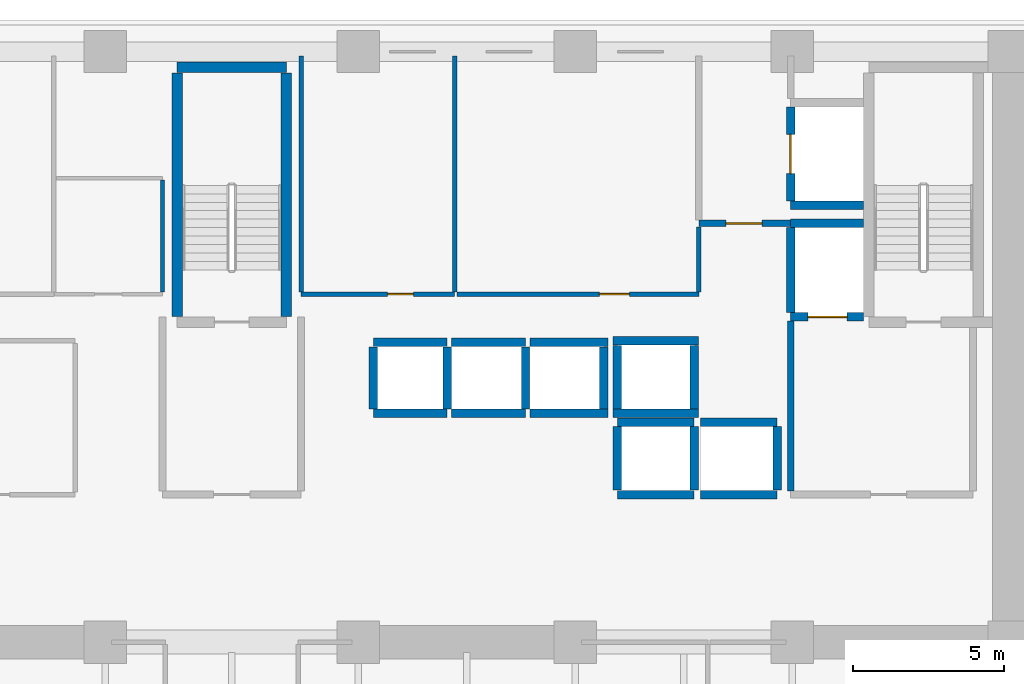
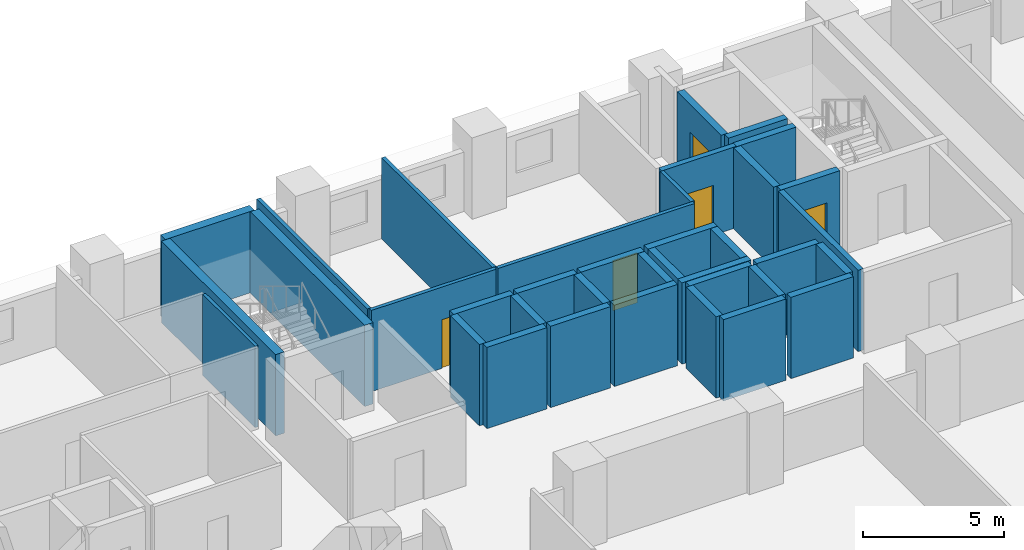
# One storey, part 8 of 15: 37 walls, 5 doors, 5 openings.
"""IFC4 building model written with IfcOpenShell, lengths in metres."""

from ifc_helpers import new_model, si_unit, direction, frame, frame_2d, origin, place, context, subcontext, project, spatial, rectangle, extrude, material, layer, layer_set, type_object, element, fill, save


model = new_model("IFC4")

# Units and contexts
model_context = context("Model", 3, precision=1e-05, world=origin(), true_north=direction((0.0, 1.0)))
body_context = subcontext(model_context, "Body", "Model", "MODEL_VIEW")
ifc_project = project(units=[si_unit("LENGTHUNIT", "METRE"), si_unit("AREAUNIT", "SQUARE_METRE"), si_unit("VOLUMEUNIT", "CUBIC_METRE"), si_unit("PLANEANGLEUNIT", "RADIAN"), si_unit("MASSUNIT", "GRAM", prefix="KILO")], contexts=[model_context])

# Site, building, storey
site_placement = place(None, origin())
site = spatial("IfcSite", under=ifc_project, at=site_placement, CompositionType="ELEMENT")
building_placement = place(site_placement, origin())
building = spatial("IfcBuilding", under=site, at=building_placement, Name="Kaelvorn Grand Hotel", CompositionType="ELEMENT")
storey_placement = place(building_placement, frame((0.0, 0.0, 53.89990234375)))
storey = spatial("IfcBuildingStorey", under=building, at=storey_placement, Name="L11", CompositionType="ELEMENT", Elevation=53.89990234375)

# Wall
ifc_material_1 = material(Name="Moisture-Resistant Tile & Stud Board")
ifc_layer_1 = layer(ifc_material_1, 0.125)
ifc_layer_set_1 = layer_set([ifc_layer_1], Name="Moisture-Resistant Tile & Stud Board")
wall_type_1 = type_object("IfcWallType", Name="WL-PART-125-WET", PredefinedType="PARTITIONING", material=ifc_layer_set_1)
wall_1_placement = place(storey_placement, frame((39.699951171875, 41.017578125, 0.0), z_axis=(0.0, 0.0, 1.0), x_axis=(0.0, 1.0, 0.0)))
element("IfcWall", 1, at=wall_1_placement, inside=storey, type_object=wall_type_1, Name="L11 Accessible WC E Partition", PredefinedType="PARTITIONING", context=body_context, shape_type="SweptSolid", body=[
    extrude(rectangle(XDim=3.71484375, YDim=0.125, at=frame_2d((1.857421875, 0.0))), origin(), (0.0, 0.0, 1.0), 3.510009765625),
])

# Wall, opening, door
ifc_material_2 = material(Name="Acoustic Gypsum & Stud Partition")
ifc_layer_2 = layer(ifc_material_2, 0.14990234375)
ifc_layer_set_2 = layer_set([ifc_layer_2], Name="Acoustic Gypsum & Stud Partition")
wall_type_2 = type_object("IfcWallType", Name="WL-PART-150-EI60", PredefinedType="PARTITIONING", material=ifc_layer_set_2)
wall_2_placement = place(storey_placement, frame((44.300048828125, 40.949951171875, 0.0), z_axis=(0.0, 0.0, 1.0), x_axis=(1.0, 0.0, 0.0)))
wall_2 = element("IfcWall", 2, at=wall_2_placement, inside=storey, type_object=wall_type_2, Name="L11 Laundry Chute Vestibule S Partition", PredefinedType="PARTITIONING", context=body_context, shape_type="SweptSolid", body=[
    extrude(rectangle(XDim=5.099853515625, YDim=0.14990234375, at=frame_2d((2.5498046875, 0.0))), origin(), (0.0, 0.0, 1.0), 3.510009765625),
])
opening_1_placement = place(wall_2_placement, frame((2.875, 0.0, 0.0)))
opening_1 = element("IfcOpeningElement", 3, at=opening_1_placement, cuts=wall_2, Name="Opening DI7", PredefinedType="OPENING", context=body_context, shape_type="SweptSolid", body=[
    extrude(rectangle(XDim=0.85009765625, YDim=2.10009765625, at=frame_2d((0.425048828125, 1.050048828125))), frame((0.0, 0.0849609375, 0.0), z_axis=(0.0, -1.0, 0.0), x_axis=(1.0, 0.0, 0.0)), (0.0, 0.0, 1.0), 0.169921875),
])
ifc_material_3 = material(Name="Powder-Coated Steel Leaf", Category="steel")
door_type_1 = type_object("IfcDoorType", Name="DR-INT-RISER-850x2100", OperationType="NOTDEFINED", PredefinedType="DOOR", material=ifc_material_3)
door_1_placement = place(opening_1_placement, origin())
door_1 = element("IfcDoor", 4, at=door_1_placement, inside=storey, type_object=door_type_1, Name="L11 Laundry Chute Vestibule Door", OperationType="SINGLE_SWING_LEFT", OverallHeight=2.10009765625, OverallWidth=0.85009765625, PredefinedType="DOOR", context=body_context, shape_type="SweptSolid", body=[
    extrude(rectangle(XDim=0.85009765625, YDim=2.10009765625, at=frame_2d((0.425048828125, 1.050048828125))), frame((0.0, 0.02490234375, 0.0), z_axis=(0.0, -1.0, 0.0), x_axis=(1.0, 0.0, 0.0)), (0.0, 0.0, 1.0), 0.050048828125),
])
fill(opening_1, door_1)

# Walls
for number, where, z_axis, x_axis, name in (
    (5, (44.300048828125, 41.030029296875, 0.0), (0.0, 0.0, 1.0), (0.0, 1.0, 0.0), "L11 Laundry Chute Vestibule W Partition"),
    (6, (49.39990234375, 41.030029296875, 0.0), (0.0, 0.0, 1.0), (0.0, 1.0, 0.0), "L11 Laundry Chute Vestibule E Partition"),
):
    element("IfcWall", number, at=place(storey_placement, frame(where, z_axis=z_axis, x_axis=x_axis)), inside=storey, type_object=wall_type_2, Name=name, PredefinedType="PARTITIONING", context=body_context, shape_type="SweptSolid", body=[
        extrude(rectangle(XDim=7.820068359375, YDim=0.14990234375, at=frame_2d((3.91015625, 0.0))), origin(), (0.0, 0.0, 1.0), 3.510009765625),
    ])

# Wall, opening, door
wall_3_placement = place(storey_placement, frame((49.47998046875, 40.949951171875, 0.0), z_axis=(0.0, 0.0, 1.0), x_axis=(1.0, 0.0, 0.0)))
wall_3 = element("IfcWall", 7, at=wall_3_placement, inside=storey, type_object=wall_type_2, Name="L11 Butler Servery Pantry S Partition", PredefinedType="PARTITIONING", context=body_context, shape_type="SweptSolid", body=[
    extrude(rectangle(XDim=8.02001953125, YDim=0.14990234375, at=frame_2d((4.010009765625, 0.0))), origin(), (0.0, 0.0, 1.0), 3.510009765625),
])
opening_2_placement = place(wall_3_placement, frame((4.719970703125, 0.0, 0.0)))
opening_2 = element("IfcOpeningElement", 8, at=opening_2_placement, cuts=wall_3, Name="Opening DI3", PredefinedType="OPENING", context=body_context, shape_type="SweptSolid", body=[
    extrude(rectangle(XDim=1.0, YDim=2.14990234375, at=frame_2d((0.5, 1.074951171875))), frame((0.0, 0.0849609375, 0.0), z_axis=(0.0, -1.0, 0.0), x_axis=(1.0, 0.0, 0.0)), (0.0, 0.0, 1.0), 0.169921875),
])
ifc_material_4 = material(Name="Timber Veneer Fire Leaf", Category="wood")
door_type_2 = type_object("IfcDoorType", Name="DR-INT-GUEST-1000x2150", OperationType="NOTDEFINED", PredefinedType="DOOR", material=ifc_material_4)
door_2_placement = place(opening_2_placement, origin())
door_2 = element("IfcDoor", 9, at=door_2_placement, inside=storey, type_object=door_type_2, Name="L11 Butler Servery Pantry Door", OperationType="SINGLE_SWING_RIGHT", OverallHeight=2.14990234375, OverallWidth=1.0, PredefinedType="DOOR", context=body_context, shape_type="SweptSolid", body=[
    extrude(rectangle(XDim=1.0, YDim=2.14990234375, at=frame_2d((0.5, 1.074951171875))), frame((0.0, 0.02490234375, 0.0), z_axis=(0.0, -1.0, 0.0), x_axis=(1.0, 0.0, 0.0)), (0.0, 0.0, 1.0), 0.050048828125),
])
fill(opening_2, door_2)

# Walls
wall_4_placement = place(storey_placement, frame((57.5, 41.030029296875, 0.0), z_axis=(0.0, 0.0, 1.0), x_axis=(0.0, 1.0, 0.0)))
element("IfcWall", 10, at=wall_4_placement, inside=storey, type_object=wall_type_2, Name="L11 Butler Servery Pantry E Partition", PredefinedType="PARTITIONING", context=body_context, shape_type="SweptSolid", body=[
    extrude(rectangle(XDim=2.155029296875, YDim=0.14990234375, at=frame_2d((1.07763671875, 0.0))), origin(), (0.0, 0.0, 1.0), 3.510009765625),
])
ifc_material_5 = material(Name="Concrete C40/50", Category="concrete")
ifc_layer_3 = layer(ifc_material_5, 0.219970703125)
ifc_layer_set_3 = layer_set([ifc_layer_3], Name="Concrete C40/50")
wall_type_3 = type_object("IfcWallType", Name="WL-PART-220-EI120", PredefinedType="PARTITIONING", material=ifc_layer_set_3)
wall_5_placement = place(storey_placement, frame((60.550048828125, 34.4150390625, 0.0), z_axis=(0.0, 0.0, 1.0), x_axis=(0.0, 1.0, 0.0)))
element("IfcWall", 11, at=wall_5_placement, inside=storey, type_object=wall_type_3, Name="L11 Firefighting Lift Lobby 2 W Partition", PredefinedType="PARTITIONING", context=body_context, shape_type="SweptSolid", body=[
    extrude(rectangle(XDim=5.639892578125, YDim=0.219970703125, at=frame_2d((2.81982421875, 0.0))), origin(), (0.0, 0.0, 1.0), 3.510009765625),
])

# Wall, opening, door
wall_6_placement = place(storey_placement, frame((57.5, 43.300048828125, 0.0), z_axis=(0.0, 0.0, 1.0), x_axis=(1.0, 0.0, 0.0)))
wall_6 = element("IfcWall", 12, at=wall_6_placement, inside=storey, type_object=wall_type_3, Name="L11 Service Lift Lobby S Partition", PredefinedType="PARTITIONING", context=body_context, shape_type="SweptSolid", body=[
    extrude(rectangle(XDim=3.0400390625, YDim=0.219970703125, at=frame_2d((1.52001953125, 0.0))), origin(), (0.0, 0.0, 1.0), 3.510009765625),
])
opening_3_placement = place(wall_6_placement, frame((0.89990234375, 0.0, 0.0)))
opening_3 = element("IfcOpeningElement", 13, at=opening_3_placement, cuts=wall_6, Name="Opening DI2", PredefinedType="OPENING", context=body_context, shape_type="SweptSolid", body=[
    extrude(rectangle(XDim=1.199951171875, YDim=2.14990234375, at=frame_2d((0.60009765625, 1.074951171875))), frame((0.0, 0.1201171875, 0.0), z_axis=(0.0, -1.0, 0.0), x_axis=(1.0, 0.0, 0.0)), (0.0, 0.0, 1.0), 0.239990234375),
])
door_type_3 = type_object("IfcDoorType", Name="DR-INT-FFLOB-1200x2150", OperationType="NOTDEFINED", PredefinedType="DOOR", material=ifc_material_4)
door_3_placement = place(opening_3_placement, origin())
door_3 = element("IfcDoor", 14, at=door_3_placement, inside=storey, type_object=door_type_3, Name="L11 Service Lift Lobby Door", OperationType="SINGLE_SWING_RIGHT", OverallHeight=2.14990234375, OverallWidth=1.199951171875, PredefinedType="DOOR", context=body_context, shape_type="SweptSolid", body=[
    extrude(rectangle(XDim=1.199951171875, YDim=2.14990234375, at=frame_2d((0.60009765625, 1.074951171875))), frame((0.0, 0.02490234375, 0.0), z_axis=(0.0, -1.0, 0.0), x_axis=(1.0, 0.0, 0.0)), (0.0, 0.0, 1.0), 0.050048828125),
])
fill(opening_3, door_3)

# Walls
ifc_material_6 = material(Name="Concrete C50/60", Category="concrete")
ifc_layer_4 = layer(ifc_material_6, 0.280029296875)
ifc_layer_set_4 = layer_set([ifc_layer_4], Name="Concrete C50/60")
wall_type_4 = type_object("IfcWallType", Name="WL-SHAFT-280-C50", PredefinedType="SHEAR", material=ifc_layer_set_4)
for number, where, z_axis, x_axis, name in (
    (15, (46.699951171875, 37.0, 0.0), (0.0, 0.0, 1.0), (1.0, 0.0, 0.0), "L11 Lift SL-1 Shaft South Wall"),
    (16, (46.699951171875, 39.35009765625, 0.0), (0.0, 0.0, 1.0), (1.0, 0.0, 0.0), "L11 Lift SL-1 Shaft North Wall"),
):
    element("IfcWall", number, at=place(storey_placement, frame(where, z_axis=z_axis, x_axis=x_axis)), inside=storey, type_object=wall_type_4, Name=name, PredefinedType="SHEAR", context=body_context, shape_type="SweptSolid", body=[
        extrude(rectangle(XDim=2.449951171875, YDim=0.280029296875, at=frame_2d((1.22509765625, 0.0))), origin(), (0.0, 0.0, 1.0), 3.510009765625),
    ])
for number, where, z_axis, x_axis, name in (
    (17, (46.699951171875, 37.14501953125, 0.0), (0.0, 0.0, 1.0), (0.0, 1.0, 0.0), "L11 Lift SL-1 Shaft West Wall"),
    (18, (49.14990234375, 37.14501953125, 0.0), (0.0, 0.0, 1.0), (0.0, 1.0, 0.0), "L11 Lift SL-1 Shaft East Wall"),
):
    element("IfcWall", number, at=place(storey_placement, frame(where, z_axis=z_axis, x_axis=x_axis)), inside=storey, type_object=wall_type_4, Name=name, PredefinedType="SHEAR", context=body_context, shape_type="SweptSolid", body=[
        extrude(rectangle(XDim=2.06005859375, YDim=0.280029296875, at=frame_2d((1.030029296875, 0.0))), origin(), (0.0, 0.0, 1.0), 3.510009765625),
    ])
for number, where, z_axis, x_axis, name in (
    (19, (49.300048828125, 37.0, 0.0), (0.0, 0.0, 1.0), (1.0, 0.0, 0.0), "L11 Lift SL-2 Shaft South Wall"),
    (20, (49.300048828125, 39.35009765625, 0.0), (0.0, 0.0, 1.0), (1.0, 0.0, 0.0), "L11 Lift SL-2 Shaft North Wall"),
):
    element("IfcWall", number, at=place(storey_placement, frame(where, z_axis=z_axis, x_axis=x_axis)), inside=storey, type_object=wall_type_4, Name=name, PredefinedType="SHEAR", context=body_context, shape_type="SweptSolid", body=[
        extrude(rectangle(XDim=2.449951171875, YDim=0.280029296875, at=frame_2d((1.22509765625, 0.0))), origin(), (0.0, 0.0, 1.0), 3.510009765625),
    ])
wall_7_placement = place(storey_placement, frame((51.75, 37.14501953125, 0.0), z_axis=(0.0, 0.0, 1.0), x_axis=(0.0, 1.0, 0.0)))
element("IfcWall", 21, at=wall_7_placement, inside=storey, type_object=wall_type_4, Name="L11 Lift SL-2 Shaft East Wall", PredefinedType="SHEAR", context=body_context, shape_type="SweptSolid", body=[
    extrude(rectangle(XDim=2.06005859375, YDim=0.280029296875, at=frame_2d((1.030029296875, 0.0))), origin(), (0.0, 0.0, 1.0), 3.510009765625),
])
for number, where, z_axis, x_axis, name in (
    (22, (51.89990234375, 37.0, 0.0), (0.0, 0.0, 1.0), (1.0, 0.0, 0.0), "L11 Lift SL-3 Shaft South Wall"),
    (23, (51.89990234375, 39.35009765625, 0.0), (0.0, 0.0, 1.0), (1.0, 0.0, 0.0), "L11 Lift SL-3 Shaft North Wall"),
):
    element("IfcWall", number, at=place(storey_placement, frame(where, z_axis=z_axis, x_axis=x_axis)), inside=storey, type_object=wall_type_4, Name=name, PredefinedType="SHEAR", context=body_context, shape_type="SweptSolid", body=[
        extrude(rectangle(XDim=2.590087890625, YDim=0.280029296875, at=frame_2d((1.294921875, 0.0))), origin(), (0.0, 0.0, 1.0), 3.510009765625),
    ])
wall_8_placement = place(storey_placement, frame((54.35009765625, 37.14501953125, 0.0), z_axis=(0.0, 0.0, 1.0), x_axis=(0.0, 1.0, 0.0)))
element("IfcWall", 24, at=wall_8_placement, inside=storey, type_object=wall_type_4, Name="L11 Lift SL-3 Shaft East Wall", PredefinedType="SHEAR", context=body_context, shape_type="SweptSolid", body=[
    extrude(rectangle(XDim=2.06005859375, YDim=0.280029296875, at=frame_2d((1.030029296875, 0.0))), origin(), (0.0, 0.0, 1.0), 3.510009765625),
])
for number, where, z_axis, x_axis, name in (
    (25, (54.800048828125, 34.300048828125, 0.0), (0.0, 0.0, 1.0), (1.0, 0.0, 0.0), "L11 Lift OL-1 Shaft South Wall"),
    (26, (54.800048828125, 36.699951171875, 0.0), (0.0, 0.0, 1.0), (1.0, 0.0, 0.0), "L11 Lift OL-1 Shaft North Wall"),
):
    element("IfcWall", number, at=place(storey_placement, frame(where, z_axis=z_axis, x_axis=x_axis)), inside=storey, type_object=wall_type_4, Name=name, PredefinedType="SHEAR", context=body_context, shape_type="SweptSolid", body=[
        extrude(rectangle(XDim=2.550048828125, YDim=0.280029296875, at=frame_2d((1.27490234375, 0.0))), origin(), (0.0, 0.0, 1.0), 3.510009765625),
    ])
for number, where, z_axis, x_axis, name in (
    (27, (54.800048828125, 34.445068359375, 0.0), (0.0, 0.0, 1.0), (0.0, 1.0, 0.0), "L11 Lift OL-1 Shaft West Wall"),
    (28, (57.35009765625, 34.445068359375, 0.0), (0.0, 0.0, 1.0), (0.0, 1.0, 0.0), "L11 Lift OL-1 Shaft East Wall"),
):
    element("IfcWall", number, at=place(storey_placement, frame(where, z_axis=z_axis, x_axis=x_axis)), inside=storey, type_object=wall_type_4, Name=name, PredefinedType="SHEAR", context=body_context, shape_type="SweptSolid", body=[
        extrude(rectangle(XDim=2.10986328125, YDim=0.280029296875, at=frame_2d((1.054931640625, 0.0))), origin(), (0.0, 0.0, 1.0), 3.510009765625),
    ])
for number, where, z_axis, x_axis, name in (
    (29, (57.550048828125, 34.300048828125, 0.0), (0.0, 0.0, 1.0), (1.0, 0.0, 0.0), "L11 Lift OL-2 Shaft South Wall"),
    (30, (57.550048828125, 36.699951171875, 0.0), (0.0, 0.0, 1.0), (1.0, 0.0, 0.0), "L11 Lift OL-2 Shaft North Wall"),
):
    element("IfcWall", number, at=place(storey_placement, frame(where, z_axis=z_axis, x_axis=x_axis)), inside=storey, type_object=wall_type_4, Name=name, PredefinedType="SHEAR", context=body_context, shape_type="SweptSolid", body=[
        extrude(rectangle(XDim=2.550048828125, YDim=0.280029296875, at=frame_2d((1.27490234375, 0.0))), origin(), (0.0, 0.0, 1.0), 3.510009765625),
    ])
wall_9_placement = place(storey_placement, frame((60.10009765625, 34.445068359375, 0.0), z_axis=(0.0, 0.0, 1.0), x_axis=(0.0, 1.0, 0.0)))
element("IfcWall", 31, at=wall_9_placement, inside=storey, type_object=wall_type_4, Name="L11 Lift OL-2 Shaft East Wall", PredefinedType="SHEAR", context=body_context, shape_type="SweptSolid", body=[
    extrude(rectangle(XDim=2.10986328125, YDim=0.280029296875, at=frame_2d((1.054931640625, 0.0))), origin(), (0.0, 0.0, 1.0), 3.510009765625),
])
for number, where, z_axis, x_axis, name in (
    (32, (54.659912109375, 37.0, 0.0), (0.0, 0.0, 1.0), (1.0, 0.0, 0.0), "L11 Lift OL-3 Shaft South Wall"),
    (33, (54.659912109375, 39.39990234375, 0.0), (0.0, 0.0, 1.0), (1.0, 0.0, 0.0), "L11 Lift OL-3 Shaft North Wall"),
):
    element("IfcWall", number, at=place(storey_placement, frame(where, z_axis=z_axis, x_axis=x_axis)), inside=storey, type_object=wall_type_4, Name=name, PredefinedType="SHEAR", context=body_context, shape_type="SweptSolid", body=[
        extrude(rectangle(XDim=2.830078125, YDim=0.280029296875, at=frame_2d((1.4150390625, 0.0))), origin(), (0.0, 0.0, 1.0), 3.510009765625),
    ])
for number, where, z_axis, x_axis, name in (
    (34, (54.800048828125, 37.14501953125, 0.0), (0.0, 0.0, 1.0), (0.0, 1.0, 0.0), "L11 Lift OL-3 Shaft West Wall"),
    (35, (57.35009765625, 37.14501953125, 0.0), (0.0, 0.0, 1.0), (0.0, 1.0, 0.0), "L11 Lift OL-3 Shaft East Wall"),
):
    element("IfcWall", number, at=place(storey_placement, frame(where, z_axis=z_axis, x_axis=x_axis)), inside=storey, type_object=wall_type_4, Name=name, PredefinedType="SHEAR", context=body_context, shape_type="SweptSolid", body=[
        extrude(rectangle(XDim=2.10986328125, YDim=0.280029296875, at=frame_2d((1.054931640625, 0.0))), origin(), (0.0, 0.0, 1.0), 3.510009765625),
    ])

# Wall, opening, door
wall_10_placement = place(storey_placement, frame((60.550048828125, 40.199951171875, 0.0), z_axis=(0.0, 0.0, 1.0), x_axis=(1.0, 0.0, 0.0)))
wall_10 = element("IfcWall", 36, at=wall_10_placement, inside=storey, type_object=wall_type_4, Name="L11 Lift FFL2 Shaft South Wall", PredefinedType="SHEAR", context=body_context, shape_type="SweptSolid", body=[
    extrude(rectangle(XDim=2.4150390625, YDim=0.280029296875, at=frame_2d((1.20751953125, 0.0))), origin(), (0.0, 0.0, 1.0), 3.510009765625),
])
opening_4_placement = place(wall_10_placement, frame((0.574951171875, 0.0, 0.0)))
opening_4 = element("IfcOpeningElement", 37, at=opening_4_placement, cuts=wall_10, Name="Opening LD-FFL2", PredefinedType="OPENING", context=body_context, shape_type="SweptSolid", body=[
    extrude(rectangle(XDim=1.300048828125, YDim=2.300048828125, at=frame_2d((0.64990234375, 1.14990234375))), frame((0.0, 0.14990234375, 0.0), z_axis=(0.0, -1.0, 0.0), x_axis=(1.0, 0.0, 0.0)), (0.0, 0.0, 1.0), 0.300048828125),
])
ifc_material_7 = material(Name="Stainless Steel", Category="steel")
door_type_4 = type_object("IfcDoorType", Name="DR-LIFT-SERV-1300x2300", OperationType="DOUBLE_DOOR_SLIDING", PredefinedType="DOOR", material=ifc_material_7)
door_4_placement = place(opening_4_placement, origin())
door_4 = element("IfcDoor", 38, at=door_4_placement, inside=storey, type_object=door_type_4, Name="L11 Lift FFL2 Sliding Landing Door LD-FFL2", OperationType="DOUBLE_DOOR_SLIDING", OverallHeight=2.300048828125, OverallWidth=1.300048828125, PredefinedType="DOOR", context=body_context, shape_type="SweptSolid", body=[
    extrude(rectangle(XDim=1.300048828125, YDim=2.300048828125, at=frame_2d((0.64990234375, 1.14990234375))), frame((0.0, 0.02490234375, 0.0), z_axis=(0.0, -1.0, 0.0), x_axis=(1.0, 0.0, 0.0)), (0.0, 0.0, 1.0), 0.050048828125),
])
fill(opening_4, door_4)

# Walls
wall_11_placement = place(storey_placement, frame((60.550048828125, 43.300048828125, 0.0), z_axis=(0.0, 0.0, 1.0), x_axis=(1.0, 0.0, 0.0)))
element("IfcWall", 39, at=wall_11_placement, inside=storey, type_object=wall_type_4, Name="L11 Lift FFL2 Shaft North Wall", PredefinedType="SHEAR", context=body_context, shape_type="SweptSolid", body=[
    extrude(rectangle(XDim=2.4150390625, YDim=0.280029296875, at=frame_2d((1.20751953125, 0.0))), origin(), (0.0, 0.0, 1.0), 3.510009765625),
])
wall_12_placement = place(storey_placement, frame((60.550048828125, 40.344970703125, 0.0), z_axis=(0.0, 0.0, 1.0), x_axis=(0.0, 1.0, 0.0)))
element("IfcWall", 40, at=wall_12_placement, inside=storey, type_object=wall_type_4, Name="L11 Lift FFL2 Shaft West Wall", PredefinedType="SHEAR", context=body_context, shape_type="SweptSolid", body=[
    extrude(rectangle(XDim=2.81005859375, YDim=0.280029296875, at=frame_2d((1.405029296875, 0.0))), origin(), (0.0, 0.0, 1.0), 3.510009765625),
])
wall_13_placement = place(storey_placement, frame((60.550048828125, 43.89990234375, 0.0), z_axis=(0.0, 0.0, 1.0), x_axis=(1.0, 0.0, 0.0)))
element("IfcWall", 41, at=wall_13_placement, inside=storey, type_object=wall_type_4, Name="L11 Lift SV1 Shaft South Wall", PredefinedType="SHEAR", context=body_context, shape_type="SweptSolid", body=[
    extrude(rectangle(XDim=2.4150390625, YDim=0.280029296875, at=frame_2d((1.20751953125, 0.0))), origin(), (0.0, 0.0, 1.0), 3.510009765625),
])

# Wall, opening, door
wall_14_placement = place(storey_placement, frame((60.550048828125, 44.044921875, 0.0), z_axis=(0.0, 0.0, 1.0), x_axis=(0.0, 1.0, 0.0)))
wall_14 = element("IfcWall", 42, at=wall_14_placement, inside=storey, type_object=wall_type_4, Name="L11 Lift SV1 Shaft West Wall", PredefinedType="SHEAR", context=body_context, shape_type="SweptSolid", body=[
    extrude(rectangle(XDim=3.110107421875, YDim=0.280029296875, at=frame_2d((1.55517578125, 0.0))), origin(), (0.0, 0.0, 1.0), 3.510009765625),
])
opening_5_placement = place(wall_14_placement, frame((0.905029296875, 0.0, 0.0)))
opening_5 = element("IfcOpeningElement", 43, at=opening_5_placement, cuts=wall_14, Name="Opening LD-SV1", PredefinedType="OPENING", context=body_context, shape_type="SweptSolid", body=[
    extrude(rectangle(XDim=1.300048828125, YDim=2.300048828125, at=frame_2d((0.64990234375, 1.14990234375))), frame((0.0, 0.14990234375, 0.0), z_axis=(0.0, -1.0, 0.0), x_axis=(1.0, 0.0, 0.0)), (0.0, 0.0, 1.0), 0.300048828125),
])
door_5_placement = place(opening_5_placement, origin())
door_5 = element("IfcDoor", 44, at=door_5_placement, inside=storey, type_object=door_type_4, Name="L11 Lift SV1 Sliding Landing Door LD-SV1", OperationType="DOUBLE_DOOR_SLIDING", OverallHeight=2.300048828125, OverallWidth=1.300048828125, PredefinedType="DOOR", context=body_context, shape_type="SweptSolid", body=[
    extrude(rectangle(XDim=1.300048828125, YDim=2.300048828125, at=frame_2d((0.64990234375, 1.14990234375))), frame((0.0, 0.02490234375, 0.0), z_axis=(0.0, -1.0, 0.0), x_axis=(1.0, 0.0, 0.0)), (0.0, 0.0, 1.0), 0.050048828125),
])
fill(opening_5, door_5)

# Walls
ifc_material_8 = material(Name="Concrete C60/75", Category="concrete")
ifc_layer_5 = layer(ifc_material_8, 0.35009765625)
ifc_layer_set_5 = layer_set([ifc_layer_5], Name="Concrete C60/75")
wall_type_5 = type_object("IfcWallType", Name="WL-SHAFT-350-C60", PredefinedType="SHEAR", material=ifc_layer_set_5)
wall_15_placement = place(storey_placement, frame((40.18505859375, 48.47509765625, 0.0), z_axis=(0.0, 0.0, 1.0), x_axis=(1.0, 0.0, 0.0)))
element("IfcWall", 45, at=wall_15_placement, inside=storey, type_object=wall_type_5, Name="L11 ST2 Stair Shaft North Wall", PredefinedType="SHEAR", context=body_context, shape_type="SweptSolid", body=[
    extrude(rectangle(XDim=3.6298828125, YDim=0.35009765625, at=frame_2d((1.81494140625, 0.0))), origin(), (0.0, 0.0, 1.0), 3.510009765625),
])
for number, where, z_axis, x_axis, name in (
    (46, (40.18505859375, 40.205078125, 0.0), (0.0, 0.0, 1.0), (0.0, 1.0, 0.0), "L11 ST2 Stair Shaft West Wall"),
    (47, (43.81494140625, 40.205078125, 0.0), (0.0, 0.0, 1.0), (0.0, 1.0, 0.0), "L11 ST2 Stair Shaft East Wall"),
):
    element("IfcWall", number, at=place(storey_placement, frame(where, z_axis=z_axis, x_axis=x_axis)), inside=storey, type_object=wall_type_5, Name=name, PredefinedType="SHEAR", context=body_context, shape_type="SweptSolid", body=[
        extrude(rectangle(XDim=8.08984375, YDim=0.35009765625, at=frame_2d((4.044921875, 0.0))), origin(), (0.0, 0.0, 1.0), 3.510009765625),
    ])

save(model, "model.ifc")
